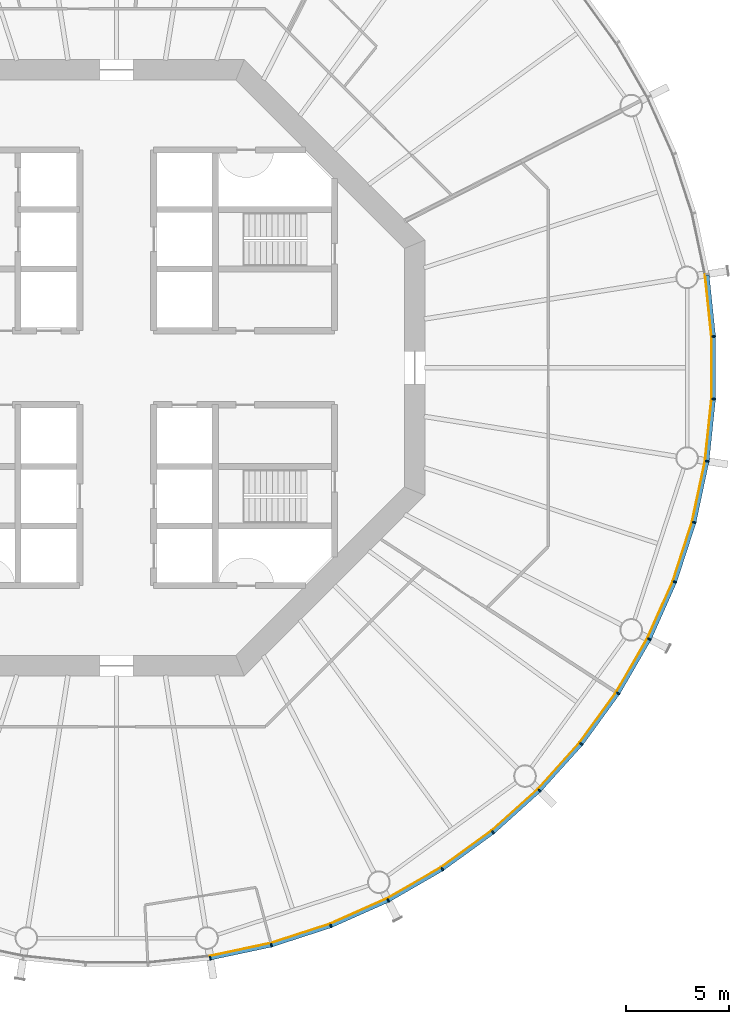
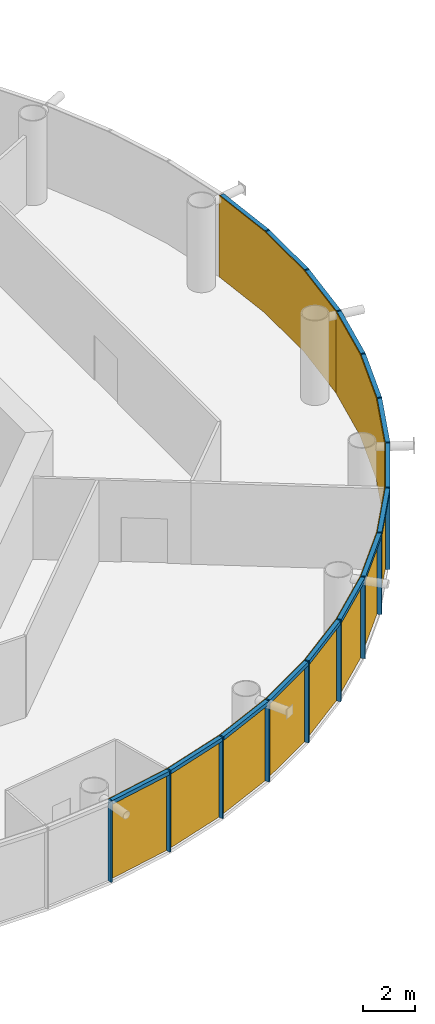
# One storey, part 13 of 17: 30 members, 5 curtain walls.
"""IFC4 building model written with IfcOpenShell, lengths in metres."""

from ifc_helpers import new_model, si_unit, direction, frame, origin, origin_2d, place, context, subcontext, project, spatial, polyline, rectangle, outline, extrude, material, layer, layer_set, material_profile, profile_set, type_object, element, aggregate, save


model = new_model("IFC4")

# Units and contexts
model_context = context("Model", 3, precision=1e-05, world=origin(), true_north=direction((0.0, 1.0)))
body_context = subcontext(model_context, "Body", "Model", "MODEL_VIEW")
ifc_project = project(units=[si_unit("LENGTHUNIT", "METRE"), si_unit("AREAUNIT", "SQUARE_METRE"), si_unit("VOLUMEUNIT", "CUBIC_METRE"), si_unit("PLANEANGLEUNIT", "RADIAN"), si_unit("MASSUNIT", "GRAM", prefix="KILO")], contexts=[model_context])

# Member
ifc_material_1 = material(Name="Anodised aluminium", Category="aluminium")
ifc_material_profile_1 = material_profile(ifc_material_1, rectangle(XDim=0.06494140625, YDim=0.18505859375, at=origin_2d()), Name="Mullion 65 x 185 mm anodised aluminium")
ifc_profile_set_1 = profile_set([ifc_material_profile_1], Name="Anodised aluminium")
member_type_1 = type_object("IfcMemberType", Name="Mullion 65 x 185 mm anodised aluminium", PredefinedType="MULLION", material=ifc_profile_set_1)
site_placement = place(None, origin())
building_placement = place(site_placement, origin())
storey_placement = place(building_placement, frame((0.0, 0.0, 160.0)))
member_1_placement = place(storey_placement, frame((94.551025390625, 51.265625, 0.0), z_axis=(0.0, 0.0, 1.0), x_axis=(0.987688340595, 0.15643446504, 0.0)))
member_1 = element("IfcMember", 1, at=member_1_placement, type_object=member_type_1, Name="MULLION L36-45", PredefinedType="MULLION", context=body_context, shape_type="SweptSolid", body=[
    extrude(rectangle(XDim=0.06494140625, YDim=0.18505859375, at=origin_2d()), origin(), (0.0, 0.0, 1.0), 3.85009765625),
])

member_2_placement = place(storey_placement, frame((97.52978515625, 51.898681640625, 0.0), z_axis=(0.0, 0.0, 1.0), x_axis=(0.965925826289, 0.258819045103, 0.0)))
member_2 = element("IfcMember", 2, at=member_2_placement, type_object=member_type_1, Name="MULLION L36-46", PredefinedType="MULLION", context=body_context, shape_type="SweptSolid", body=[
    extrude(rectangle(XDim=0.06494140625, YDim=0.18505859375, at=origin_2d()), origin(), (0.0, 0.0, 1.0), 3.85009765625),
])

member_3_placement = place(storey_placement, frame((100.42578125, 52.83984375, 0.0), z_axis=(0.0, 0.0, 1.0), x_axis=(0.933580426497, 0.358367949545, 0.0)))
member_3 = element("IfcMember", 3, at=member_3_placement, type_object=member_type_1, Name="MULLION L36-47", PredefinedType="MULLION", context=body_context, shape_type="SweptSolid", body=[
    extrude(rectangle(XDim=0.06494140625, YDim=0.18505859375, at=origin_2d()), origin(), (0.0, 0.0, 1.0), 3.85009765625),
])

member_4_placement = place(storey_placement, frame((103.207763671875, 54.078369140625, 0.0), z_axis=(0.0, 0.0, 1.0), x_axis=(0.891006524188, 0.45399049974, 0.0)))
member_4 = element("IfcMember", 4, at=member_4_placement, type_object=member_type_1, Name="MULLION L36-48", PredefinedType="MULLION", context=body_context, shape_type="SweptSolid", body=[
    extrude(rectangle(XDim=0.06494140625, YDim=0.18505859375, at=origin_2d()), origin(), (0.0, 0.0, 1.0), 3.85009765625),
])

member_5_placement = place(storey_placement, frame((105.844970703125, 55.60107421875, 0.0), z_axis=(0.0, 0.0, 1.0), x_axis=(0.838670567945, 0.544639035015, 0.0)))
member_5 = element("IfcMember", 5, at=member_5_placement, type_object=member_type_1, Name="MULLION L36-49", PredefinedType="MULLION", context=body_context, shape_type="SweptSolid", body=[
    extrude(rectangle(XDim=0.06494140625, YDim=0.18505859375, at=origin_2d()), origin(), (0.0, 0.0, 1.0), 3.85009765625),
])

member_6_placement = place(storey_placement, frame((108.30859375, 57.390869140625, 0.0), z_axis=(0.0, 0.0, 1.0), x_axis=(0.777145961457, 0.62932039105, 0.0)))
member_6 = element("IfcMember", 6, at=member_6_placement, type_object=member_type_1, Name="MULLION L36-50", PredefinedType="MULLION", context=body_context, shape_type="SweptSolid", body=[
    extrude(rectangle(XDim=0.06494140625, YDim=0.18505859375, at=origin_2d()), origin(), (0.0, 0.0, 1.0), 3.85009765625),
])

member_7_placement = place(storey_placement, frame((110.571533203125, 59.428466796875, 0.0), z_axis=(0.0, 0.0, 1.0), x_axis=(0.707106781187, 0.707106781187, 0.0)))
member_7 = element("IfcMember", 7, at=member_7_placement, type_object=member_type_1, Name="MULLION L36-51", PredefinedType="MULLION", context=body_context, shape_type="SweptSolid", body=[
    extrude(rectangle(XDim=0.06494140625, YDim=0.18505859375, at=origin_2d()), origin(), (0.0, 0.0, 1.0), 3.85009765625),
])

member_8_placement = place(storey_placement, frame((112.609130859375, 61.69140625, 0.0), z_axis=(0.0, 0.0, 1.0), x_axis=(0.62932039105, 0.777145961457, 0.0)))
member_8 = element("IfcMember", 8, at=member_8_placement, type_object=member_type_1, Name="MULLION L36-52", PredefinedType="MULLION", context=body_context, shape_type="SweptSolid", body=[
    extrude(rectangle(XDim=0.06494140625, YDim=0.18505859375, at=origin_2d()), origin(), (0.0, 0.0, 1.0), 3.85009765625),
])

member_9_placement = place(storey_placement, frame((114.39892578125, 64.155029296875, 0.0), z_axis=(0.0, 0.0, 1.0), x_axis=(0.544639035015, 0.838670567945, 0.0)))
member_9 = element("IfcMember", 9, at=member_9_placement, type_object=member_type_1, Name="MULLION L36-53", PredefinedType="MULLION", context=body_context, shape_type="SweptSolid", body=[
    extrude(rectangle(XDim=0.06494140625, YDim=0.18505859375, at=origin_2d()), origin(), (0.0, 0.0, 1.0), 3.85009765625),
])

member_10_placement = place(storey_placement, frame((115.921630859375, 66.792236328125, 0.0), z_axis=(0.0, 0.0, 1.0), x_axis=(0.45399049974, 0.891006524188, 0.0)))
member_10 = element("IfcMember", 10, at=member_10_placement, type_object=member_type_1, Name="MULLION L36-54", PredefinedType="MULLION", context=body_context, shape_type="SweptSolid", body=[
    extrude(rectangle(XDim=0.06494140625, YDim=0.18505859375, at=origin_2d()), origin(), (0.0, 0.0, 1.0), 3.85009765625),
])

member_11_placement = place(storey_placement, frame((117.16015625, 69.57421875, 0.0), z_axis=(0.0, 0.0, 1.0), x_axis=(0.358367949545, 0.933580426497, 0.0)))
member_11 = element("IfcMember", 11, at=member_11_placement, type_object=member_type_1, Name="MULLION L36-55", PredefinedType="MULLION", context=body_context, shape_type="SweptSolid", body=[
    extrude(rectangle(XDim=0.06494140625, YDim=0.18505859375, at=origin_2d()), origin(), (0.0, 0.0, 1.0), 3.85009765625),
])

member_12_placement = place(storey_placement, frame((118.101318359375, 72.47021484375, 0.0), z_axis=(0.0, 0.0, 1.0), x_axis=(0.258819045103, 0.965925826289, 0.0)))
member_12 = element("IfcMember", 12, at=member_12_placement, type_object=member_type_1, Name="MULLION L36-56", PredefinedType="MULLION", context=body_context, shape_type="SweptSolid", body=[
    extrude(rectangle(XDim=0.06494140625, YDim=0.18505859375, at=origin_2d()), origin(), (0.0, 0.0, 1.0), 3.85009765625),
])

member_13_placement = place(storey_placement, frame((118.734375, 75.448974609375, 0.0), z_axis=(0.0, 0.0, 1.0), x_axis=(0.15643446504, 0.987688340595, 0.0)))
member_13 = element("IfcMember", 13, at=member_13_placement, type_object=member_type_1, Name="MULLION L36-57", PredefinedType="MULLION", context=body_context, shape_type="SweptSolid", body=[
    extrude(rectangle(XDim=0.06494140625, YDim=0.18505859375, at=origin_2d()), origin(), (0.0, 0.0, 1.0), 3.85009765625),
])

member_14_placement = place(storey_placement, frame((119.052734375, 78.477294921875, 0.0), z_axis=(0.0, 0.0, 1.0), x_axis=(0.052335956243, 0.998629534755, 0.0)))
member_14 = element("IfcMember", 14, at=member_14_placement, type_object=member_type_1, Name="MULLION L36-58", PredefinedType="MULLION", context=body_context, shape_type="SweptSolid", body=[
    extrude(rectangle(XDim=0.06494140625, YDim=0.18505859375, at=origin_2d()), origin(), (0.0, 0.0, 1.0), 3.85009765625),
])

member_15_placement = place(storey_placement, frame((119.052734375, 81.522705078125, 0.0), z_axis=(0.0, 0.0, 1.0), x_axis=(-0.052335956243, 0.998629534755, 0.0)))
member_15 = element("IfcMember", 15, at=member_15_placement, type_object=member_type_1, Name="MULLION L36-59", PredefinedType="MULLION", context=body_context, shape_type="SweptSolid", body=[
    extrude(rectangle(XDim=0.06494140625, YDim=0.18505859375, at=origin_2d()), origin(), (0.0, 0.0, 1.0), 3.85009765625),
])

ifc_material_2 = material(Name="Anodised aluminium", Category="aluminium")
ifc_material_profile_2 = material_profile(ifc_material_2, rectangle(XDim=0.18505859375, YDim=0.175048828125, at=origin_2d()), Name="Transom 175 x 185 mm anodised aluminium")
ifc_profile_set_2 = profile_set([ifc_material_profile_2], Name="Anodised aluminium")
member_type_2 = type_object("IfcMemberType", Name="Transom 175 x 185 mm anodised aluminium", PredefinedType="USERDEFINED", material=ifc_profile_set_2)
member_16_placement = place(storey_placement, frame((94.587646484375, 51.2734375, 3.762451171875), z_axis=(0.97815822425, 0.207861704825, 0.0), x_axis=(-0.207861704825, 0.97815822425, 0.0)))
member_16 = element("IfcMember", 16, at=member_16_placement, type_object=member_type_2, Name="TRANSOM L36-45", ObjectType="TRANSOM", PredefinedType="USERDEFINED", context=body_context, shape_type="SweptSolid", body=[
    extrude(rectangle(XDim=0.18505859375, YDim=0.175048828125, at=origin_2d()), origin(), (0.0, 0.0, 1.0), 2.970458984375),
])

member_17_placement = place(storey_placement, frame((97.565185546875, 51.91015625, 3.762451171875), z_axis=(0.951055809184, 0.30901917063, 0.0), x_axis=(-0.30901917063, 0.951055809184, 0.0)))
member_17 = element("IfcMember", 17, at=member_17_placement, type_object=member_type_2, Name="TRANSOM L36-46", ObjectType="TRANSOM", PredefinedType="USERDEFINED", context=body_context, shape_type="SweptSolid", body=[
    extrude(rectangle(XDim=0.18505859375, YDim=0.175048828125, at=origin_2d()), origin(), (0.0, 0.0, 1.0), 2.970703125),
])

member_18_placement = place(storey_placement, frame((100.4599609375, 52.85498046875, 3.762451171875), z_axis=(0.913567348806, 0.406687471156, 0.0), x_axis=(-0.406687471156, 0.913567348806, 0.0)))
member_18 = element("IfcMember", 18, at=member_18_placement, type_object=member_type_2, Name="TRANSOM L36-47", ObjectType="TRANSOM", PredefinedType="USERDEFINED", context=body_context, shape_type="SweptSolid", body=[
    extrude(rectangle(XDim=0.18505859375, YDim=0.175048828125, at=origin_2d()), origin(), (0.0, 0.0, 1.0), 2.970458984375),
])

member_19_placement = place(storey_placement, frame((103.240234375, 54.096923828125, 3.762451171875), z_axis=(0.866009025146, 0.500028367561, 0.0), x_axis=(-0.500028367561, 0.866009025146, 0.0)))
member_19 = element("IfcMember", 19, at=member_19_placement, type_object=member_type_2, Name="TRANSOM L36-48", ObjectType="TRANSOM", PredefinedType="USERDEFINED", context=body_context, shape_type="SweptSolid", body=[
    extrude(rectangle(XDim=0.18505859375, YDim=0.175048828125, at=origin_2d()), origin(), (0.0, 0.0, 1.0), 2.970458984375),
])

member_20_placement = place(storey_placement, frame((105.875244140625, 55.622802734375, 3.762451171875), z_axis=(0.808991906087, 0.587819781808, 0.0), x_axis=(-0.587819781808, 0.808991906087, 0.0)))
member_20 = element("IfcMember", 20, at=member_20_placement, type_object=member_type_2, Name="TRANSOM L36-49", ObjectType="TRANSOM", PredefinedType="USERDEFINED", context=body_context, shape_type="SweptSolid", body=[
    extrude(rectangle(XDim=0.18505859375, YDim=0.175048828125, at=origin_2d()), origin(), (0.0, 0.0, 1.0), 2.970458984375),
])

member_21_placement = place(storey_placement, frame((108.33642578125, 57.415771484375, 3.762451171875), z_axis=(0.743163354343, 0.669110027395, 0.0), x_axis=(-0.669110027395, 0.743163354343, 0.0)))
member_21 = element("IfcMember", 21, at=member_21_placement, type_object=member_type_2, Name="TRANSOM L36-50", ObjectType="TRANSOM", PredefinedType="USERDEFINED", context=body_context, shape_type="SweptSolid", body=[
    extrude(rectangle(XDim=0.18505859375, YDim=0.175048828125, at=origin_2d()), origin(), (0.0, 0.0, 1.0), 2.970458984375),
])

member_22_placement = place(storey_placement, frame((110.5966796875, 59.4560546875, 3.762451171875), z_axis=(0.669110027395, 0.743163354343, 0.0), x_axis=(-0.743163354343, 0.669110027395, 0.0)))
member_22 = element("IfcMember", 22, at=member_22_placement, type_object=member_type_2, Name="TRANSOM L36-51", ObjectType="TRANSOM", PredefinedType="USERDEFINED", context=body_context, shape_type="SweptSolid", body=[
    extrude(rectangle(XDim=0.18505859375, YDim=0.175048828125, at=origin_2d()), origin(), (0.0, 0.0, 1.0), 2.970458984375),
])

member_23_placement = place(storey_placement, frame((112.631103515625, 61.7216796875, 3.762451171875), z_axis=(0.587819781808, 0.808991906087, 0.0), x_axis=(-0.808991906087, 0.587819781808, 0.0)))
member_23 = element("IfcMember", 23, at=member_23_placement, type_object=member_type_2, Name="TRANSOM L36-52", ObjectType="TRANSOM", PredefinedType="USERDEFINED", context=body_context, shape_type="SweptSolid", body=[
    extrude(rectangle(XDim=0.18505859375, YDim=0.175048828125, at=origin_2d()), origin(), (0.0, 0.0, 1.0), 2.970458984375),
])

member_24_placement = place(storey_placement, frame((114.417724609375, 64.187255859375, 3.762451171875), z_axis=(0.500028367561, 0.866009025146, 0.0), x_axis=(-0.866009025146, 0.500028367561, 0.0)))
member_24 = element("IfcMember", 24, at=member_24_placement, type_object=member_type_2, Name="TRANSOM L36-53", ObjectType="TRANSOM", PredefinedType="USERDEFINED", context=body_context, shape_type="SweptSolid", body=[
    extrude(rectangle(XDim=0.18505859375, YDim=0.175048828125, at=origin_2d()), origin(), (0.0, 0.0, 1.0), 2.970458984375),
])

member_25_placement = place(storey_placement, frame((115.93701171875, 66.826416015625, 3.762451171875), z_axis=(0.406687471156, 0.913567348806, 0.0), x_axis=(-0.913567348806, 0.406687471156, 0.0)))
member_25 = element("IfcMember", 25, at=member_25_placement, type_object=member_type_2, Name="TRANSOM L36-54", ObjectType="TRANSOM", PredefinedType="USERDEFINED", context=body_context, shape_type="SweptSolid", body=[
    extrude(rectangle(XDim=0.18505859375, YDim=0.175048828125, at=origin_2d()), origin(), (0.0, 0.0, 1.0), 2.970458984375),
])

member_26_placement = place(storey_placement, frame((117.171875, 69.609619140625, 3.762451171875), z_axis=(0.30901917063, 0.951055809184, 0.0), x_axis=(-0.951055809184, 0.30901917063, 0.0)))
member_26 = element("IfcMember", 26, at=member_26_placement, type_object=member_type_2, Name="TRANSOM L36-55", ObjectType="TRANSOM", PredefinedType="USERDEFINED", context=body_context, shape_type="SweptSolid", body=[
    extrude(rectangle(XDim=0.18505859375, YDim=0.175048828125, at=origin_2d()), origin(), (0.0, 0.0, 1.0), 2.970703125),
])

member_27_placement = place(storey_placement, frame((118.109130859375, 72.5068359375, 3.762451171875), z_axis=(0.207861704825, 0.97815822425, 0.0), x_axis=(-0.97815822425, 0.207861704825, 0.0)))
member_27 = element("IfcMember", 27, at=member_27_placement, type_object=member_type_2, Name="TRANSOM L36-56", ObjectType="TRANSOM", PredefinedType="USERDEFINED", context=body_context, shape_type="SweptSolid", body=[
    extrude(rectangle(XDim=0.18505859375, YDim=0.175048828125, at=origin_2d()), origin(), (0.0, 0.0, 1.0), 2.970458984375),
])

member_28_placement = place(storey_placement, frame((118.73828125, 75.486083984375, 3.762451171875), z_axis=(0.104547872381, 0.994519855197, 0.0), x_axis=(-0.994519855197, 0.104547872381, 0.0)))
member_28 = element("IfcMember", 28, at=member_28_placement, type_object=member_type_2, Name="TRANSOM L36-57", ObjectType="TRANSOM", PredefinedType="USERDEFINED", context=body_context, shape_type="SweptSolid", body=[
    extrude(rectangle(XDim=0.18505859375, YDim=0.175048828125, at=origin_2d()), origin(), (0.0, 0.0, 1.0), 2.970458984375),
])

member_29_placement = place(storey_placement, frame((119.052734375, 78.5146484375, 3.762451171875), z_axis=(0.0, 1.0, 0.0), x_axis=(-1.0, 0.0, 0.0)))
member_29 = element("IfcMember", 29, at=member_29_placement, type_object=member_type_2, Name="TRANSOM L36-58", ObjectType="TRANSOM", PredefinedType="USERDEFINED", context=body_context, shape_type="SweptSolid", body=[
    extrude(rectangle(XDim=0.18505859375, YDim=0.175048828125, at=origin_2d()), origin(), (0.0, 0.0, 1.0), 2.970703125),
])

member_30_placement = place(storey_placement, frame((119.048828125, 81.559814453125, 3.762451171875), z_axis=(-0.104547872381, 0.994519855197, 0.0), x_axis=(-0.994519855197, -0.104547872381, 0.0)))
member_30 = element("IfcMember", 30, at=member_30_placement, type_object=member_type_2, Name="TRANSOM L36-59", ObjectType="TRANSOM", PredefinedType="USERDEFINED", context=body_context, shape_type="SweptSolid", body=[
    extrude(rectangle(XDim=0.18505859375, YDim=0.175048828125, at=origin_2d()), origin(), (0.0, 0.0, 1.0), 2.970458984375),
])

# Site, building, storey
site = spatial("IfcSite", under=ifc_project, at=site_placement, CompositionType="ELEMENT")
building = spatial("IfcBuilding", under=site, at=building_placement, Name="Entoto Ring Tower", CompositionType="ELEMENT")
storey = spatial("IfcBuildingStorey", under=building, at=storey_placement, Name="L36", CompositionType="ELEMENT", Elevation=160.0)

# Curtain wall
ifc_material_3 = material(Name="Clear low-iron glass", Category="glass")
ifc_layer = layer(ifc_material_3, 0.033935546875)
ifc_layer_set = layer_set([ifc_layer], Name="Clear low-iron glass")
curtain_wall_type = type_object("IfcCurtainWallType", Name="Curtain wall system CW3 glazing 34 mm", PredefinedType="NOTDEFINED", material=ifc_layer_set)
curtain_wall_1_placement = place(storey_placement, origin())
curtain_wall_1 = element("IfcCurtainWall", 31, at=curtain_wall_1_placement, inside=storey, type_object=curtain_wall_type, Name="CW3 L36-16", PredefinedType="NOTDEFINED", context=body_context, shape_type="SweptSolid", body=[
    extrude(outline(polyline([(94.53662109375, 51.35693359375), (97.505859375, 51.988037109375), (100.392578125, 52.92626953125), (103.165771484375, 54.160888671875), (103.150146484375, 54.191162109375), (100.38037109375, 52.9580078125), (97.496826171875, 52.02099609375), (94.53125, 51.390625), (94.53662109375, 51.35693359375)])), origin(), (0.0, 0.0, 1.0), 3.85009765625),
])

aggregate(curtain_wall_1, [member_1, member_2, member_3, member_16, member_17, member_18])

curtain_wall_2_placement = place(storey_placement, origin())
curtain_wall_2 = element("IfcCurtainWall", 32, at=curtain_wall_2_placement, inside=storey, type_object=curtain_wall_type, Name="CW3 L36-17", PredefinedType="NOTDEFINED", context=body_context, shape_type="SweptSolid", body=[
    extrude(outline(polyline([(103.165771484375, 54.160888671875), (105.79443359375, 55.678466796875), (108.250244140625, 57.462646484375), (110.506103515625, 59.493896484375), (110.48193359375, 59.51806640625), (108.228759765625, 57.4892578125), (105.77587890625, 55.70703125), (103.150146484375, 54.191162109375), (103.165771484375, 54.160888671875)])), origin(), (0.0, 0.0, 1.0), 3.85009765625),
])

aggregate(curtain_wall_2, [member_4, member_5, member_6, member_19, member_20, member_21])

curtain_wall_3_placement = place(storey_placement, origin())
curtain_wall_3 = element("IfcCurtainWall", 33, at=curtain_wall_3_placement, inside=storey, type_object=curtain_wall_type, Name="CW3 L36-18", PredefinedType="NOTDEFINED", context=body_context, shape_type="SweptSolid", body=[
    extrude(outline(polyline([(110.506103515625, 59.493896484375), (112.537353515625, 61.749755859375), (114.321533203125, 64.20556640625), (115.839111328125, 66.834228515625), (115.808837890625, 66.849853515625), (114.29296875, 64.22412109375), (112.5107421875, 61.771240234375), (110.48193359375, 59.51806640625), (110.506103515625, 59.493896484375)])), origin(), (0.0, 0.0, 1.0), 3.85009765625),
])

aggregate(curtain_wall_3, [member_7, member_8, member_9, member_22, member_23, member_24])

curtain_wall_4_placement = place(storey_placement, origin())
curtain_wall_4 = element("IfcCurtainWall", 34, at=curtain_wall_4_placement, inside=storey, type_object=curtain_wall_type, Name="CW3 L36-19", PredefinedType="NOTDEFINED", context=body_context, shape_type="SweptSolid", body=[
    extrude(outline(polyline([(115.839111328125, 66.834228515625), (117.07373046875, 69.607421875), (118.011962890625, 72.494140625), (118.64306640625, 75.46337890625), (118.609375, 75.46875), (117.97900390625, 72.503173828125), (117.0419921875, 69.61962890625), (115.808837890625, 66.849853515625), (115.839111328125, 66.834228515625)])), origin(), (0.0, 0.0, 1.0), 3.85009765625),
])

aggregate(curtain_wall_4, [member_10, member_11, member_12, member_25, member_26, member_27])

curtain_wall_5_placement = place(storey_placement, origin())
curtain_wall_5 = element("IfcCurtainWall", 35, at=curtain_wall_5_placement, inside=storey, type_object=curtain_wall_type, Name="CW3 L36-20", PredefinedType="NOTDEFINED", context=body_context, shape_type="SweptSolid", body=[
    extrude(outline(polyline([(118.64306640625, 75.46337890625), (118.960205078125, 78.482177734375), (118.960205078125, 81.517822265625), (118.64306640625, 84.53662109375), (118.609375, 84.53125), (118.92626953125, 81.515869140625), (118.92626953125, 78.484130859375), (118.609375, 75.46875), (118.64306640625, 75.46337890625)])), origin(), (0.0, 0.0, 1.0), 3.85009765625),
])

aggregate(curtain_wall_5, [member_13, member_14, member_15, member_28, member_29, member_30])

save(model, "model.ifc")
